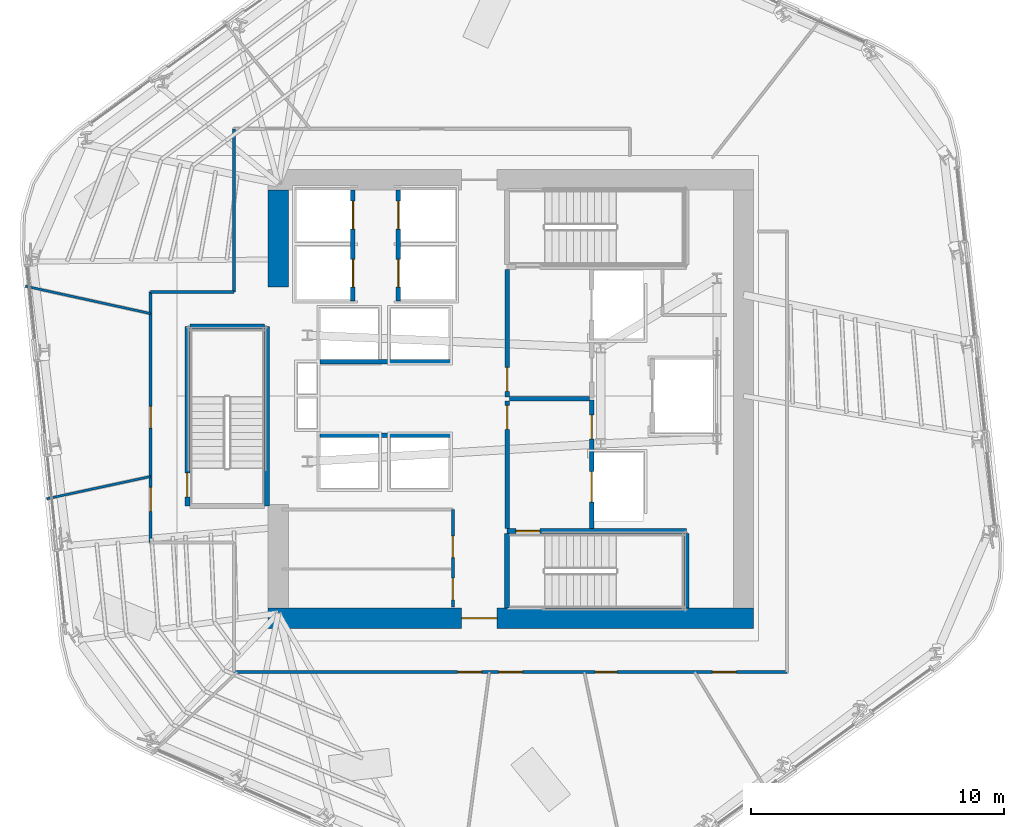
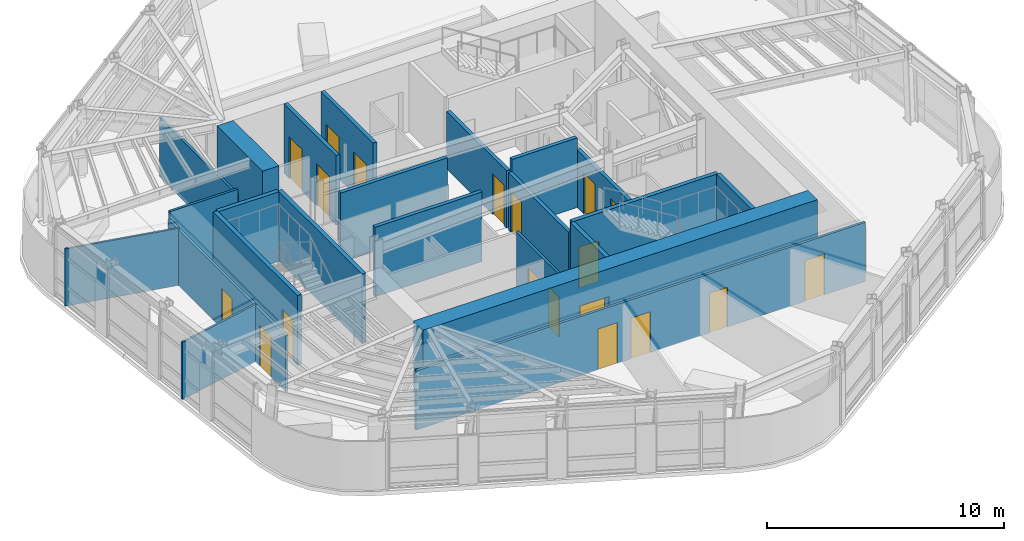
# One storey, part 8 of 14: 23 walls, 19 doors, 19 openings.
"""IFC4 building model written with IfcOpenShell, lengths in metres."""

from ifc_helpers import new_model, si_unit, direction, frame, frame_2d, origin, place, context, subcontext, project, spatial, rectangle, extrude, material, layer, layer_set, type_object, element, fill, save


model = new_model("IFC4")

# Units and contexts
model_context = context("Model", 3, precision=1e-05, world=origin(), true_north=direction((0.0, 1.0)))
body_context = subcontext(model_context, "Body", "Model", "MODEL_VIEW")
ifc_project = project(units=[si_unit("LENGTHUNIT", "METRE"), si_unit("AREAUNIT", "SQUARE_METRE"), si_unit("VOLUMEUNIT", "CUBIC_METRE"), si_unit("PLANEANGLEUNIT", "RADIAN"), si_unit("MASSUNIT", "GRAM", prefix="KILO")], contexts=[model_context])

# Site, building, storey
site_placement = place(None, origin())
site = spatial("IfcSite", under=ifc_project, at=site_placement, CompositionType="ELEMENT")
building_placement = place(site_placement, origin())
building = spatial("IfcBuilding", under=site, at=building_placement, Name="Valkerne Bourse Tower", CompositionType="ELEMENT")
storey_placement = place(building_placement, frame((0.0, 0.0, 178.0)))
storey = spatial("IfcBuildingStorey", under=building, at=storey_placement, Name="L45", CompositionType="ELEMENT", Elevation=178.0)

# Wall, opening, door
ifc_material_1 = material(Name="Concrete C55/67", Category="concrete")
ifc_layer_1 = layer(ifc_material_1, 0.800048828125)
ifc_layer_set_1 = layer_set([ifc_layer_1], Name="Concrete C55/67")
wall_type_1 = type_object("IfcWallType", Name="W-CORE-800", PredefinedType="SHEAR", material=ifc_layer_set_1)
wall_1_placement = place(storey_placement, frame((37.199951171875, 18.199951171875, 0.0), z_axis=(0.0, 0.0, 1.0), x_axis=(1.0, 0.0, 0.0)))
wall_1 = element("IfcWall", 1, at=wall_1_placement, inside=storey, type_object=wall_type_1, Name="L45 Core Shear Wall SOUTH", PredefinedType="SHEAR", context=body_context, shape_type="SweptSolid", body=[
    extrude(rectangle(XDim=19.199951171875, YDim=0.800048828125, at=frame_2d((9.60009765625, 0.0))), origin(), (0.0, 0.0, 1.0), 3.580078125),
])
opening_1_placement = place(wall_1_placement, frame((7.64990234375, 0.0, 0.0)))
opening_1 = element("IfcOpeningElement", 2, at=opening_1_placement, cuts=wall_1, Name="Opening D-PL-1400", PredefinedType="OPENING", context=body_context, shape_type="SweptSolid", body=[
    extrude(rectangle(XDim=1.39990234375, YDim=2.14990234375, at=frame_2d((0.699951171875, 1.074951171875))), frame((0.0, 0.409912109375, 0.0), z_axis=(0.0, -1.0, 0.0), x_axis=(1.0, 0.0, 0.0)), (0.0, 0.0, 1.0), 0.820068359375),
])
ifc_material_2 = material(Name="Galvanised Painted Steel", Category="steel")
door_type_1 = type_object("IfcDoorType", Name="DR-PLT-1400", OperationType="DOUBLE_DOOR_SINGLE_SWING", PredefinedType="DOOR", material=ifc_material_2)
door_1_placement = place(opening_1_placement, origin())
door_1 = element("IfcDoor", 3, at=door_1_placement, inside=storey, type_object=door_type_1, Name="L45 South Passenger Lift Hall Fire Door", OperationType="DOUBLE_DOOR_SINGLE_SWING", OverallHeight=2.14990234375, OverallWidth=1.39990234375, PredefinedType="DOOR", context=body_context, shape_type="SweptSolid", body=[
    extrude(rectangle(XDim=1.39990234375, YDim=2.14990234375, at=frame_2d((0.699951171875, 1.074951171875))), frame((0.0, 0.02490234375, 0.0), z_axis=(0.0, -1.0, 0.0), x_axis=(1.0, 0.0, 0.0)), (0.0, 0.0, 1.0), 0.050048828125),
])
fill(opening_1, door_1)

# Wall
wall_2_placement = place(storey_placement, frame((37.60009765625, 31.300048828125, 0.0), z_axis=(0.0, 0.0, 1.0), x_axis=(0.0, 1.0, 0.0)))
element("IfcWall", 4, at=wall_2_placement, inside=storey, type_object=wall_type_1, Name="L45 Core Shear Wall WEST-N", PredefinedType="SHEAR", context=body_context, shape_type="SweptSolid", body=[
    extrude(rectangle(XDim=3.849853515625, YDim=0.800048828125, at=frame_2d((1.9248046875, 0.0))), origin(), (0.0, 0.0, 1.0), 3.580078125),
])

# Wall, openings, doors
ifc_material_3 = material(Name="Gypsum Board Steel-Stud Partition", Category="steel")
ifc_layer_2 = layer(ifc_material_3, 0.117919921875)
ifc_layer_set_2 = layer_set([ifc_layer_2], Name="Gypsum Board Steel-Stud Partition")
wall_type_2 = type_object("IfcWallType", Name="W-CORR-140", PredefinedType="PARTITIONING", material=ifc_layer_set_2)
wall_3_placement = place(storey_placement, frame((44.5, 18.64990234375, 0.0), z_axis=(0.0, 0.0, 1.0), x_axis=(0.0, 1.0, 0.0)))
wall_3 = element("IfcWall", 5, at=wall_3_placement, inside=storey, type_object=wall_type_2, Name="L45 LV7 Low-Bank East Wall", PredefinedType="PARTITIONING", context=body_context, shape_type="SweptSolid", body=[
    extrude(rectangle(XDim=3.85009765625, YDim=0.117919921875, at=frame_2d((1.925048828125, 0.0))), origin(), (0.0, 0.0, 1.0), 3.280029296875),
])
opening_2_placement = place(wall_3_placement, frame((0.280029296875, 0.0, 0.0)))
opening_2 = element("IfcOpeningElement", 6, at=opening_2_placement, cuts=wall_3, Name="Opening D-WC-900", PredefinedType="OPENING", context=body_context, shape_type="SweptSolid", body=[
    extrude(rectangle(XDim=0.860107421875, YDim=2.050048828125, at=frame_2d((0.43017578125, 1.02490234375))), frame((0.0, 0.06884765625, 0.0), z_axis=(0.0, -1.0, 0.0), x_axis=(1.0, 0.0, 0.0)), (0.0, 0.0, 1.0), 0.137939453125),
])
opening_3_placement = place(wall_3_placement, frame((1.949951171875, 0.0, 0.0)))
opening_3 = element("IfcOpeningElement", 7, at=opening_3_placement, cuts=wall_3, Name="Opening D-WC-900", PredefinedType="OPENING", context=body_context, shape_type="SweptSolid", body=[
    extrude(rectangle(XDim=0.860107421875, YDim=2.050048828125, at=frame_2d((0.43017578125, 1.02490234375))), frame((0.0, 0.06884765625, 0.0), z_axis=(0.0, -1.0, 0.0), x_axis=(1.0, 0.0, 0.0)), (0.0, 0.0, 1.0), 0.137939453125),
])
ifc_material_4 = material(Name="Architectural White Oak Timber", Category="wood")
door_type_2 = type_object("IfcDoorType", Name="DR-WC-900", OperationType="NOTDEFINED", PredefinedType="DOOR", material=ifc_material_4)
door_2_placement = place(opening_2_placement, origin())
door_2 = element("IfcDoor", 8, at=door_2_placement, inside=storey, type_object=door_type_2, Name="L45 Tea Pantry Door", OperationType="SINGLE_SWING_LEFT", OverallHeight=2.050048828125, OverallWidth=0.860107421875, PredefinedType="DOOR", context=body_context, shape_type="SweptSolid", body=[
    extrude(rectangle(XDim=0.860107421875, YDim=2.050048828125, at=frame_2d((0.43017578125, 1.02490234375))), frame((0.0, 0.02490234375, 0.0), z_axis=(0.0, -1.0, 0.0), x_axis=(1.0, 0.0, 0.0)), (0.0, 0.0, 1.0), 0.050048828125),
])
fill(opening_2, door_2)
door_3_placement = place(opening_3_placement, origin())
door_3 = element("IfcDoor", 9, at=door_3_placement, inside=storey, type_object=door_type_2, Name="L45 Portfolio Risk Office Door", OperationType="SINGLE_SWING_LEFT", OverallHeight=2.050048828125, OverallWidth=0.860107421875, PredefinedType="DOOR", context=body_context, shape_type="SweptSolid", body=[
    extrude(rectangle(XDim=0.860107421875, YDim=2.050048828125, at=frame_2d((0.43017578125, 1.02490234375))), frame((0.0, 0.02490234375, 0.0), z_axis=(0.0, -1.0, 0.0), x_axis=(1.0, 0.0, 0.0)), (0.0, 0.0, 1.0), 0.050048828125),
])
fill(opening_3, door_3)

wall_4_placement = place(storey_placement, frame((32.550048828125, 21.199951171875, 0.0), z_axis=(0.0, 0.0, 1.0), x_axis=(0.0, 1.0, 0.0)))
wall_4 = element("IfcWall", 10, at=wall_4_placement, inside=storey, type_object=wall_type_2, Name="L45 Corridor Enclosure Wall", PredefinedType="PARTITIONING", context=body_context, shape_type="SweptSolid", body=[
    extrude(rectangle(XDim=9.900146484375, YDim=0.117919921875, at=frame_2d((4.9501953125, 0.0))), origin(), (0.0, 0.0, 1.0), 2.876708984375),
])
opening_4_placement = place(wall_4_placement, frame((4.52001953125, 0.0, 0.0)))
opening_4 = element("IfcOpeningElement", 11, at=opening_4_placement, cuts=wall_4, Name="Opening D-WC-900", PredefinedType="OPENING", context=body_context, shape_type="SweptSolid", body=[
    extrude(rectangle(XDim=0.860107421875, YDim=2.050048828125, at=frame_2d((0.43017578125, 1.02490234375))), frame((0.0, 0.06884765625, 0.0), z_axis=(0.0, -1.0, 0.0), x_axis=(1.0, 0.0, 0.0)), (0.0, 0.0, 1.0), 0.137939453125),
])
opening_5_placement = place(wall_4_placement, frame((1.235107421875, 0.0, 0.0)))
opening_5 = element("IfcOpeningElement", 12, at=opening_5_placement, cuts=wall_4, Name="Opening D-OF-950", PredefinedType="OPENING", context=body_context, shape_type="SweptSolid", body=[
    extrude(rectangle(XDim=0.949951171875, YDim=2.10009765625, at=frame_2d((0.47509765625, 1.050048828125))), frame((0.0, 0.06884765625, 0.0), z_axis=(0.0, -1.0, 0.0), x_axis=(1.0, 0.0, 0.0)), (0.0, 0.0, 1.0), 0.137939453125),
])
door_type_3 = type_object("IfcDoorType", Name="DR-OFF-950", OperationType="NOTDEFINED", PredefinedType="DOOR", material=ifc_material_4)
door_4_placement = place(opening_5_placement, origin())
door_4 = element("IfcDoor", 13, at=door_4_placement, inside=storey, type_object=door_type_3, Name="L45 L45 Exchange Security Control Room 4 Door", OperationType="SINGLE_SWING_RIGHT", OverallHeight=2.10009765625, OverallWidth=0.949951171875, PredefinedType="DOOR", context=body_context, shape_type="SweptSolid", body=[
    extrude(rectangle(XDim=0.949951171875, YDim=2.10009765625, at=frame_2d((0.47509765625, 1.050048828125))), frame((0.0, 0.02490234375, 0.0), z_axis=(0.0, -1.0, 0.0), x_axis=(1.0, 0.0, 0.0)), (0.0, 0.0, 1.0), 0.050048828125),
])
fill(opening_5, door_4)
door_5_placement = place(opening_4_placement, origin())
door_5 = element("IfcDoor", 14, at=door_5_placement, inside=storey, type_object=door_type_2, Name="L45 L45 Men Bathroom WC 1 Door", OperationType="SINGLE_SWING_LEFT", OverallHeight=2.050048828125, OverallWidth=0.860107421875, PredefinedType="DOOR", context=body_context, shape_type="SweptSolid", body=[
    extrude(rectangle(XDim=0.860107421875, YDim=2.050048828125, at=frame_2d((0.43017578125, 1.02490234375))), frame((0.0, 0.02490234375, 0.0), z_axis=(0.0, -1.0, 0.0), x_axis=(1.0, 0.0, 0.0)), (0.0, 0.0, 1.0), 0.050048828125),
])
fill(opening_4, door_5)

# Walls
wall_5_placement = place(storey_placement, frame((32.550048828125, 31.10009765625, 0.0), z_axis=(0.0, 0.0, 1.0), x_axis=(1.0, 0.0, 0.0)))
element("IfcWall", 15, at=wall_5_placement, inside=storey, type_object=wall_type_2, Name="L45 Corridor Enclosure Wall", PredefinedType="PARTITIONING", context=body_context, shape_type="SweptSolid", body=[
    extrude(rectangle(XDim=3.300048828125, YDim=0.117919921875, at=frame_2d((1.64990234375, 0.0))), origin(), (0.0, 0.0, 1.0), 3.280029296875),
])
wall_6_placement = place(storey_placement, frame((35.85009765625, 31.10009765625, 0.0), z_axis=(0.0, 0.0, 1.0), x_axis=(0.0, 1.0, 0.0)))
element("IfcWall", 16, at=wall_6_placement, inside=storey, type_object=wall_type_2, Name="L45 Corridor Enclosure Wall", PredefinedType="PARTITIONING", context=body_context, shape_type="SweptSolid", body=[
    extrude(rectangle(XDim=6.4599609375, YDim=0.117919921875, at=frame_2d((3.22998046875, 0.0))), origin(), (0.0, 0.0, 1.0), 3.03662109375),
])

# Wall, openings, doors
wall_7_placement = place(storey_placement, frame((57.719970703125, 16.080078125, 0.0), z_axis=(0.0, 0.0, 1.0), x_axis=(-1.0, 0.0, 0.0)))
wall_7 = element("IfcWall", 17, at=wall_7_placement, inside=storey, type_object=wall_type_2, Name="L45 Corridor Enclosure Wall", PredefinedType="PARTITIONING", context=body_context, shape_type="SweptSolid", body=[
    extrude(rectangle(XDim=21.869873046875, YDim=0.117919921875, at=frame_2d((10.93505859375, 0.0))), origin(), (0.0, 0.0, 1.0), 3.03662109375),
])
opening_6_placement = place(wall_7_placement, frame((6.72509765625, 0.0, 0.0)))
opening_6 = element("IfcOpeningElement", 18, at=opening_6_placement, cuts=wall_7, Name="Opening D-WC-900", PredefinedType="OPENING", context=body_context, shape_type="SweptSolid", body=[
    extrude(rectangle(XDim=0.860107421875, YDim=2.050048828125, at=frame_2d((0.43017578125, 1.02490234375))), frame((0.0, 0.06884765625, 0.0), z_axis=(0.0, -1.0, 0.0), x_axis=(1.0, 0.0, 0.0)), (0.0, 0.0, 1.0), 0.137939453125),
])
opening_7_placement = place(wall_7_placement, frame((10.4599609375, 0.0, 0.0)))
opening_7 = element("IfcOpeningElement", 19, at=opening_7_placement, cuts=wall_7, Name="Opening D-OF-950", PredefinedType="OPENING", context=body_context, shape_type="SweptSolid", body=[
    extrude(rectangle(XDim=0.949951171875, YDim=2.10009765625, at=frame_2d((0.47509765625, 1.050048828125))), frame((0.0, 0.06884765625, 0.0), z_axis=(0.0, -1.0, 0.0), x_axis=(1.0, 0.0, 0.0)), (0.0, 0.0, 1.0), 0.137939453125),
])
opening_8_placement = place(wall_7_placement, frame((12.080078125, 0.0, 0.0)))
opening_8 = element("IfcOpeningElement", 20, at=opening_8_placement, cuts=wall_7, Name="Opening D-OF-950", PredefinedType="OPENING", context=body_context, shape_type="SweptSolid", body=[
    extrude(rectangle(XDim=0.949951171875, YDim=2.10009765625, at=frame_2d((0.47509765625, 1.050048828125))), frame((0.0, 0.06884765625, 0.0), z_axis=(0.0, -1.0, 0.0), x_axis=(1.0, 0.0, 0.0)), (0.0, 0.0, 1.0), 0.137939453125),
])
opening_9_placement = place(wall_7_placement, frame((2.0, 0.0, 0.0)))
opening_9 = element("IfcOpeningElement", 21, at=opening_9_placement, cuts=wall_7, Name="Opening D-OF-950", PredefinedType="OPENING", context=body_context, shape_type="SweptSolid", body=[
    extrude(rectangle(XDim=0.949951171875, YDim=2.10009765625, at=frame_2d((0.47509765625, 1.050048828125))), frame((0.0, 0.06884765625, 0.0), z_axis=(0.0, -1.0, 0.0), x_axis=(1.0, 0.0, 0.0)), (0.0, 0.0, 1.0), 0.137939453125),
])
door_6_placement = place(opening_7_placement, origin())
door_6 = element("IfcDoor", 22, at=door_6_placement, inside=storey, type_object=door_type_3, Name="L45 L45 Exchange Security Control Room 3 Door", OperationType="SINGLE_SWING_RIGHT", OverallHeight=2.10009765625, OverallWidth=0.949951171875, PredefinedType="DOOR", context=body_context, shape_type="SweptSolid", body=[
    extrude(rectangle(XDim=0.949951171875, YDim=2.10009765625, at=frame_2d((0.47509765625, 1.050048828125))), frame((0.0, 0.02490234375, 0.0), z_axis=(0.0, -1.0, 0.0), x_axis=(1.0, 0.0, 0.0)), (0.0, 0.0, 1.0), 0.050048828125),
])
fill(opening_7, door_6)
door_7_placement = place(opening_8_placement, origin())
door_7 = element("IfcDoor", 23, at=door_7_placement, inside=storey, type_object=door_type_3, Name="L45 L45 Trading Desk Office 5 Door", OperationType="SINGLE_SWING_RIGHT", OverallHeight=2.10009765625, OverallWidth=0.949951171875, PredefinedType="DOOR", context=body_context, shape_type="SweptSolid", body=[
    extrude(rectangle(XDim=0.949951171875, YDim=2.10009765625, at=frame_2d((0.47509765625, 1.050048828125))), frame((0.0, 0.02490234375, 0.0), z_axis=(0.0, -1.0, 0.0), x_axis=(1.0, 0.0, 0.0)), (0.0, 0.0, 1.0), 0.050048828125),
])
fill(opening_8, door_7)
door_8_placement = place(opening_9_placement, origin())
door_8 = element("IfcDoor", 24, at=door_8_placement, inside=storey, type_object=door_type_3, Name="L45 L45 Occupational Wellness Clinic 8 Door", OperationType="SINGLE_SWING_RIGHT", OverallHeight=2.10009765625, OverallWidth=0.949951171875, PredefinedType="DOOR", context=body_context, shape_type="SweptSolid", body=[
    extrude(rectangle(XDim=0.949951171875, YDim=2.10009765625, at=frame_2d((0.47509765625, 1.050048828125))), frame((0.0, 0.02490234375, 0.0), z_axis=(0.0, -1.0, 0.0), x_axis=(1.0, 0.0, 0.0)), (0.0, 0.0, 1.0), 0.050048828125),
])
fill(opening_9, door_8)
door_9_placement = place(opening_6_placement, origin())
door_9 = element("IfcDoor", 25, at=door_9_placement, inside=storey, type_object=door_type_2, Name="L45 L45 Women Restroom & Shower WC 2 Door", OperationType="SINGLE_SWING_RIGHT", OverallHeight=2.050048828125, OverallWidth=0.860107421875, PredefinedType="DOOR", context=body_context, shape_type="SweptSolid", body=[
    extrude(rectangle(XDim=0.860107421875, YDim=2.050048828125, at=frame_2d((0.43017578125, 1.02490234375))), frame((0.0, 0.02490234375, 0.0), z_axis=(0.0, -1.0, 0.0), x_axis=(1.0, 0.0, 0.0)), (0.0, 0.0, 1.0), 0.050048828125),
])
fill(opening_6, door_9)

# Wall
ifc_material_5 = material(Name="Gypsum Fire-Rated Shaftwall", Category="gypsum")
ifc_layer_3 = layer(ifc_material_5, 0.179931640625)
ifc_layer_set_3 = layer_set([ifc_layer_3], Name="Gypsum Fire-Rated Shaftwall")
wall_type_3 = type_object("IfcWallType", Name="W-FSAE-180", PredefinedType="PARTITIONING", material=ifc_layer_set_3)
wall_8_placement = place(storey_placement, frame((46.739990234375, 26.8798828125, 0.0), z_axis=(0.0, 0.0, 1.0), x_axis=(1.0, 0.0, 0.0)))
element("IfcWall", 26, at=wall_8_placement, inside=storey, type_object=wall_type_3, Name="L45 FSAE-1/2 Lobby Dividing Fire Wall", PredefinedType="PARTITIONING", context=body_context, shape_type="SweptSolid", body=[
    extrude(rectangle(XDim=3.169921875, YDim=0.179931640625, at=frame_2d((1.5849609375, 0.0))), origin(), (0.0, 0.0, 1.0), 3.580078125),
])

# Wall, opening, door
wall_9_placement = place(storey_placement, frame((46.64990234375, 21.75, 0.0), z_axis=(0.0, 0.0, 1.0), x_axis=(0.0, 1.0, 0.0)))
wall_9 = element("IfcWall", 27, at=wall_9_placement, inside=storey, type_object=wall_type_3, Name="L45 FSAE-1 Lobby West Fire Wall", PredefinedType="PARTITIONING", context=body_context, shape_type="SweptSolid", body=[
    extrude(rectangle(XDim=5.050048828125, YDim=0.179931640625, at=frame_2d((2.52490234375, 0.0))), origin(), (0.0, 0.0, 1.0), 2.9580078125),
])
opening_10_placement = place(wall_9_placement, frame((3.919921875, 0.0, 0.0)))
opening_10 = element("IfcOpeningElement", 28, at=opening_10_placement, cuts=wall_9, Name="Opening D-FS-950", PredefinedType="OPENING", context=body_context, shape_type="SweptSolid", body=[
    extrude(rectangle(XDim=0.949951171875, YDim=2.10009765625, at=frame_2d((0.47509765625, 1.050048828125))), frame((0.0, 0.099853515625, 0.0), z_axis=(0.0, -1.0, 0.0), x_axis=(1.0, 0.0, 0.0)), (0.0, 0.0, 1.0), 0.199951171875),
])
door_type_4 = type_object("IfcDoorType", Name="DR-FSAE-950", OperationType="NOTDEFINED", PredefinedType="DOOR", material=ifc_material_2)
door_10_placement = place(opening_10_placement, origin())
door_10 = element("IfcDoor", 29, at=door_10_placement, inside=storey, type_object=door_type_4, Name="L45 FSAE-1 Hall Link Fire Door", OperationType="SINGLE_SWING_RIGHT", OverallHeight=2.10009765625, OverallWidth=0.949951171875, PredefinedType="DOOR", context=body_context, shape_type="SweptSolid", body=[
    extrude(rectangle(XDim=0.949951171875, YDim=2.10009765625, at=frame_2d((0.47509765625, 1.050048828125))), frame((0.0, 0.02490234375, 0.0), z_axis=(0.0, -1.0, 0.0), x_axis=(1.0, 0.0, 0.0)), (0.0, 0.0, 1.0), 0.050048828125),
])
fill(opening_10, door_10)

wall_10_placement = place(storey_placement, frame((46.64990234375, 26.9599609375, 0.0), z_axis=(0.0, 0.0, 1.0), x_axis=(0.0, 1.0, 0.0)))
wall_10 = element("IfcWall", 30, at=wall_10_placement, inside=storey, type_object=wall_type_3, Name="L45 FSAE-2 Lobby West Fire Wall", PredefinedType="PARTITIONING", context=body_context, shape_type="SweptSolid", body=[
    extrude(rectangle(XDim=5.0400390625, YDim=0.179931640625, at=frame_2d((2.52001953125, 0.0))), origin(), (0.0, 0.0, 1.0), 2.9580078125),
])
opening_11_placement = place(wall_10_placement, frame((0.219970703125, 0.0, 0.0)))
opening_11 = element("IfcOpeningElement", 31, at=opening_11_placement, cuts=wall_10, Name="Opening D-FS-950", PredefinedType="OPENING", context=body_context, shape_type="SweptSolid", body=[
    extrude(rectangle(XDim=0.949951171875, YDim=2.10009765625, at=frame_2d((0.47509765625, 1.050048828125))), frame((0.0, 0.099853515625, 0.0), z_axis=(0.0, -1.0, 0.0), x_axis=(1.0, 0.0, 0.0)), (0.0, 0.0, 1.0), 0.199951171875),
])
door_11_placement = place(opening_11_placement, origin())
door_11 = element("IfcDoor", 32, at=door_11_placement, inside=storey, type_object=door_type_4, Name="L45 FSAE-2 Hall Link Fire Door", OperationType="SINGLE_SWING_LEFT", OverallHeight=2.10009765625, OverallWidth=0.949951171875, PredefinedType="DOOR", context=body_context, shape_type="SweptSolid", body=[
    extrude(rectangle(XDim=0.949951171875, YDim=2.10009765625, at=frame_2d((0.47509765625, 1.050048828125))), frame((0.0, 0.02490234375, 0.0), z_axis=(0.0, -1.0, 0.0), x_axis=(1.0, 0.0, 0.0)), (0.0, 0.0, 1.0), 0.050048828125),
])
fill(opening_11, door_11)

# Wall, openings, doors
wall_11_placement = place(storey_placement, frame((50.0, 21.75, 0.0), z_axis=(0.0, 0.0, 1.0), x_axis=(0.0, 1.0, 0.0)))
wall_11 = element("IfcWall", 33, at=wall_11_placement, inside=storey, type_object=wall_type_3, Name="L45 FSAE-1 Lobby & Shaft Front Wall", PredefinedType="PARTITIONING", context=body_context, shape_type="SweptSolid", body=[
    extrude(rectangle(XDim=5.090087890625, YDim=0.179931640625, at=frame_2d((2.544921875, 0.0))), origin(), (0.0, 0.0, 1.0), 2.9580078125),
])
opening_12_placement = place(wall_11_placement, frame((1.050048828125, 0.0, 0.0)))
opening_12 = element("IfcOpeningElement", 34, at=opening_12_placement, cuts=wall_11, Name="Opening LD-1200", PredefinedType="OPENING", context=body_context, shape_type="SweptSolid", body=[
    extrude(rectangle(XDim=1.199951171875, YDim=2.14990234375, at=frame_2d((0.60009765625, 1.074951171875))), frame((0.0, 0.099853515625, 0.0), z_axis=(0.0, -1.0, 0.0), x_axis=(1.0, 0.0, 0.0)), (0.0, 0.0, 1.0), 0.199951171875),
])
opening_13_placement = place(wall_11_placement, frame((3.550048828125, 0.0, 0.0)))
opening_13 = element("IfcOpeningElement", 35, at=opening_13_placement, cuts=wall_11, Name="Opening D-FS-950", PredefinedType="OPENING", context=body_context, shape_type="SweptSolid", body=[
    extrude(rectangle(XDim=0.949951171875, YDim=2.10009765625, at=frame_2d((0.47509765625, 1.050048828125))), frame((0.0, 0.099853515625, 0.0), z_axis=(0.0, -1.0, 0.0), x_axis=(1.0, 0.0, 0.0)), (0.0, 0.0, 1.0), 0.199951171875),
])
door_12_placement = place(opening_13_placement, origin())
door_12 = element("IfcDoor", 36, at=door_12_placement, inside=storey, type_object=door_type_4, Name="L45 FSAE-1 Lobby Corridor Fire Door", OperationType="SINGLE_SWING_LEFT", OverallHeight=2.10009765625, OverallWidth=0.949951171875, PredefinedType="DOOR", context=body_context, shape_type="SweptSolid", body=[
    extrude(rectangle(XDim=0.949951171875, YDim=2.10009765625, at=frame_2d((0.47509765625, 1.050048828125))), frame((0.0, 0.02490234375, 0.0), z_axis=(0.0, -1.0, 0.0), x_axis=(1.0, 0.0, 0.0)), (0.0, 0.0, 1.0), 0.050048828125),
])
fill(opening_13, door_12)
ifc_material_6 = material(Name="Stainless Steel AISI 316", Category="steel")
door_type_5 = type_object("IfcDoorType", Name="DR-LIFT-1200", OperationType="DOUBLE_DOOR_SLIDING", PredefinedType="DOOR", material=ifc_material_6)
door_13_placement = place(opening_12_placement, origin())
door_13 = element("IfcDoor", 37, at=door_13_placement, inside=storey, type_object=door_type_5, Name="L45 FSAE-1 Firefighting Lift Landing Door", OperationType="DOUBLE_DOOR_SLIDING", OverallHeight=2.14990234375, OverallWidth=1.199951171875, PredefinedType="DOOR", context=body_context, shape_type="SweptSolid", body=[
    extrude(rectangle(XDim=1.199951171875, YDim=2.14990234375, at=frame_2d((0.60009765625, 1.074951171875))), frame((0.0, 0.02490234375, 0.0), z_axis=(0.0, -1.0, 0.0), x_axis=(1.0, 0.0, 0.0)), (0.0, 0.0, 1.0), 0.050048828125),
])
fill(opening_12, door_13)

ifc_material_7 = material(Name="CMU Blockwork Masonry 200mm", Category="masonry")
ifc_layer_4 = layer(ifc_material_7, 0.179931640625)
ifc_layer_set_4 = layer_set([ifc_layer_4], Name="CMU Blockwork Masonry 200mm")
wall_type_4 = type_object("IfcWallType", Name="W-LFT-180", PredefinedType="SOLIDWALL", material=ifc_layer_set_4)
wall_12_placement = place(storey_placement, frame((40.550048828125, 30.75, 0.0), z_axis=(0.0, 0.0, 1.0), x_axis=(0.0, 1.0, 0.0)))
wall_12 = element("IfcWall", 38, at=wall_12_placement, inside=storey, type_object=wall_type_4, Name="L45 Mid-Zone West Cars Front Wall", PredefinedType="SOLIDWALL", context=body_context, shape_type="SweptSolid", body=[
    extrude(rectangle(XDim=4.39990234375, YDim=0.179931640625, at=frame_2d((2.199951171875, 0.0))), origin(), (0.0, 0.0, 1.0), 3.580078125),
])
opening_14_placement = place(wall_12_placement, frame((0.550048828125, 0.0, 0.0)))
opening_14 = element("IfcOpeningElement", 39, at=opening_14_placement, cuts=wall_12, Name="Opening LD-1100", PredefinedType="OPENING", context=body_context, shape_type="SweptSolid", body=[
    extrude(rectangle(XDim=1.10009765625, YDim=2.14990234375, at=frame_2d((0.550048828125, 1.074951171875))), frame((0.0, 0.099853515625, 0.0), z_axis=(0.0, -1.0, 0.0), x_axis=(1.0, 0.0, 0.0)), (0.0, 0.0, 1.0), 0.199951171875),
])
opening_15_placement = place(wall_12_placement, frame((2.85009765625, 0.0, 0.0)))
opening_15 = element("IfcOpeningElement", 40, at=opening_15_placement, cuts=wall_12, Name="Opening LD-1100", PredefinedType="OPENING", context=body_context, shape_type="SweptSolid", body=[
    extrude(rectangle(XDim=1.10009765625, YDim=2.14990234375, at=frame_2d((0.550048828125, 1.074951171875))), frame((0.0, 0.099853515625, 0.0), z_axis=(0.0, -1.0, 0.0), x_axis=(1.0, 0.0, 0.0)), (0.0, 0.0, 1.0), 0.199951171875),
])
door_type_6 = type_object("IfcDoorType", Name="DR-LIFT-1100", OperationType="DOUBLE_DOOR_SLIDING", PredefinedType="DOOR", material=ifc_material_6)
door_14_placement = place(opening_14_placement, origin())
door_14 = element("IfcDoor", 41, at=door_14_placement, inside=storey, type_object=door_type_6, Name="L45 Passenger Lift PL-M1 Sliding Landing Door", OperationType="DOUBLE_DOOR_SLIDING", OverallHeight=2.14990234375, OverallWidth=1.10009765625, PredefinedType="DOOR", context=body_context, shape_type="SweptSolid", body=[
    extrude(rectangle(XDim=1.10009765625, YDim=2.14990234375, at=frame_2d((0.550048828125, 1.074951171875))), frame((0.0, 0.02490234375, 0.0), z_axis=(0.0, -1.0, 0.0), x_axis=(1.0, 0.0, 0.0)), (0.0, 0.0, 1.0), 0.050048828125),
])
fill(opening_14, door_14)
door_15_placement = place(opening_15_placement, origin())
door_15 = element("IfcDoor", 42, at=door_15_placement, inside=storey, type_object=door_type_6, Name="L45 Passenger Lift PL-M2 Sliding Landing Door", OperationType="DOUBLE_DOOR_SLIDING", OverallHeight=2.14990234375, OverallWidth=1.10009765625, PredefinedType="DOOR", context=body_context, shape_type="SweptSolid", body=[
    extrude(rectangle(XDim=1.10009765625, YDim=2.14990234375, at=frame_2d((0.550048828125, 1.074951171875))), frame((0.0, 0.02490234375, 0.0), z_axis=(0.0, -1.0, 0.0), x_axis=(1.0, 0.0, 0.0)), (0.0, 0.0, 1.0), 0.050048828125),
])
fill(opening_15, door_15)

wall_13_placement = place(storey_placement, frame((42.35009765625, 30.75, 0.0), z_axis=(0.0, 0.0, 1.0), x_axis=(0.0, 1.0, 0.0)))
wall_13 = element("IfcWall", 43, at=wall_13_placement, inside=storey, type_object=wall_type_4, Name="L45 Mid-Zone East Cars Front Wall", PredefinedType="SOLIDWALL", context=body_context, shape_type="SweptSolid", body=[
    extrude(rectangle(XDim=4.39990234375, YDim=0.179931640625, at=frame_2d((2.199951171875, 0.0))), origin(), (0.0, 0.0, 1.0), 3.580078125),
])
opening_16_placement = place(wall_13_placement, frame((0.550048828125, 0.0, 0.0)))
opening_16 = element("IfcOpeningElement", 44, at=opening_16_placement, cuts=wall_13, Name="Opening LD-1100", PredefinedType="OPENING", context=body_context, shape_type="SweptSolid", body=[
    extrude(rectangle(XDim=1.10009765625, YDim=2.14990234375, at=frame_2d((0.550048828125, 1.074951171875))), frame((0.0, 0.099853515625, 0.0), z_axis=(0.0, -1.0, 0.0), x_axis=(1.0, 0.0, 0.0)), (0.0, 0.0, 1.0), 0.199951171875),
])
opening_17_placement = place(wall_13_placement, frame((2.85009765625, 0.0, 0.0)))
opening_17 = element("IfcOpeningElement", 45, at=opening_17_placement, cuts=wall_13, Name="Opening LD-1100", PredefinedType="OPENING", context=body_context, shape_type="SweptSolid", body=[
    extrude(rectangle(XDim=1.10009765625, YDim=2.14990234375, at=frame_2d((0.550048828125, 1.074951171875))), frame((0.0, 0.099853515625, 0.0), z_axis=(0.0, -1.0, 0.0), x_axis=(1.0, 0.0, 0.0)), (0.0, 0.0, 1.0), 0.199951171875),
])
door_16_placement = place(opening_16_placement, origin())
door_16 = element("IfcDoor", 46, at=door_16_placement, inside=storey, type_object=door_type_6, Name="L45 Passenger Lift PL-M3 Sliding Landing Door", OperationType="DOUBLE_DOOR_SLIDING", OverallHeight=2.14990234375, OverallWidth=1.10009765625, PredefinedType="DOOR", context=body_context, shape_type="SweptSolid", body=[
    extrude(rectangle(XDim=1.10009765625, YDim=2.14990234375, at=frame_2d((0.550048828125, 1.074951171875))), frame((0.0, 0.02490234375, 0.0), z_axis=(0.0, -1.0, 0.0), x_axis=(1.0, 0.0, 0.0)), (0.0, 0.0, 1.0), 0.050048828125),
])
fill(opening_16, door_16)
door_17_placement = place(opening_17_placement, origin())
door_17 = element("IfcDoor", 47, at=door_17_placement, inside=storey, type_object=door_type_6, Name="L45 Passenger Lift PL-M4 Sliding Landing Door", OperationType="DOUBLE_DOOR_SLIDING", OverallHeight=2.14990234375, OverallWidth=1.10009765625, PredefinedType="DOOR", context=body_context, shape_type="SweptSolid", body=[
    extrude(rectangle(XDim=1.10009765625, YDim=2.14990234375, at=frame_2d((0.550048828125, 1.074951171875))), frame((0.0, 0.02490234375, 0.0), z_axis=(0.0, -1.0, 0.0), x_axis=(1.0, 0.0, 0.0)), (0.0, 0.0, 1.0), 0.050048828125),
])
fill(opening_17, door_17)

# Walls
for number, where, z_axis, x_axis, name in (
    (48, (39.25, 25.449951171875, 0.0), (0.0, 0.0, 1.0), (1.0, 0.0, 0.0), "L45 High-Zone South Cars Front Wall"),
    (49, (39.25, 28.35009765625, 0.0), (0.0, 0.0, 1.0), (1.0, 0.0, 0.0), "L45 High-Zone North Cars Front Wall"),
):
    element("IfcWall", number, at=place(storey_placement, frame(where, z_axis=z_axis, x_axis=x_axis)), inside=storey, type_object=wall_type_4, Name=name, PredefinedType="SOLIDWALL", context=body_context, shape_type="SweptSolid", body=[
        extrude(rectangle(XDim=5.199951171875, YDim=0.179931640625, at=frame_2d((2.60009765625, 0.0))), origin(), (0.0, 0.0, 1.0), 3.580078125),
    ])
ifc_layer_5 = layer(ifc_material_3, 0.092041015625)
ifc_layer_set_5 = layer_set([ifc_layer_5], Name="Gypsum Board Steel-Stud Partition")
wall_type_5 = type_object("IfcWallType", Name="W-PART-115", PredefinedType="PARTITIONING", material=ifc_layer_set_5)
wall_14_placement = place(storey_placement, frame((32.544921875, 30.25537109375, 0.0), z_axis=(0.0, 0.0, 1.0), x_axis=(-0.976829209546, 0.214020315341, 0.0)))
element("IfcWall", 50, at=wall_14_placement, inside=storey, type_object=wall_type_5, Name="L45 Suite Partition P06", PredefinedType="PARTITIONING", context=body_context, shape_type="SweptSolid", body=[
    extrude(rectangle(XDim=5.06494140625, YDim=0.092041015625, at=frame_2d((2.532470703125, 0.0))), origin(), (0.0, 0.0, 1.0), 2.942626953125),
])
wall_15_placement = place(storey_placement, frame((32.544921875, 23.81005859375, 0.0), z_axis=(0.0, 0.0, 1.0), x_axis=(-0.977708767366, -0.209965631033, 0.0)))
element("IfcWall", 51, at=wall_15_placement, inside=storey, type_object=wall_type_5, Name="L45 Suite Partition P07", PredefinedType="PARTITIONING", context=body_context, shape_type="SweptSolid", body=[
    extrude(rectangle(XDim=4.201171875, YDim=0.092041015625, at=frame_2d((2.1005859375, 0.0))), origin(), (0.0, 0.0, 1.0), 2.942626953125),
])

# Wall, opening, door
ifc_material_8 = material(Name="Concrete C40/50", Category="concrete")
ifc_layer_6 = layer(ifc_material_8, 0.199951171875)
ifc_layer_set_6 = layer_set([ifc_layer_6], Name="Concrete C40/50")
wall_type_6 = type_object("IfcWallType", Name="W-SHF-200", PredefinedType="SHEAR", material=ifc_layer_set_6)
wall_16_placement = place(storey_placement, frame((46.64990234375, 21.64990234375, 0.0), z_axis=(0.0, 0.0, 1.0), x_axis=(1.0, 0.0, 0.0)))
wall_16 = element("IfcWall", 52, at=wall_16_placement, inside=storey, type_object=wall_type_6, Name="L45 Exit Stair ST-1 Structural Shaft Wall North", PredefinedType="SHEAR", context=body_context, shape_type="SweptSolid", body=[
    extrude(rectangle(XDim=7.10009765625, YDim=0.199951171875, at=frame_2d((3.550048828125, 0.0))), origin(), (0.0, 0.0, 1.0), 3.580078125),
])
opening_18_placement = place(wall_16_placement, frame((0.35009765625, 0.0, 0.0)))
opening_18 = element("IfcOpeningElement", 53, at=opening_18_placement, cuts=wall_16, Name="Opening D-ST-950", PredefinedType="OPENING", context=body_context, shape_type="SweptSolid", body=[
    extrude(rectangle(XDim=0.949951171875, YDim=2.10009765625, at=frame_2d((0.47509765625, 1.050048828125))), frame((0.0, 0.10986328125, 0.0), z_axis=(0.0, -1.0, 0.0), x_axis=(1.0, 0.0, 0.0)), (0.0, 0.0, 1.0), 0.219970703125),
])
door_type_7 = type_object("IfcDoorType", Name="DR-STAIR-950", OperationType="NOTDEFINED", PredefinedType="DOOR", material=ifc_material_2)
door_18_placement = place(opening_18_placement, origin())
door_18 = element("IfcDoor", 54, at=door_18_placement, inside=storey, type_object=door_type_7, Name="L45 Exit Stair ST-1 Door", OperationType="SINGLE_SWING_RIGHT", OverallHeight=2.10009765625, OverallWidth=0.949951171875, PredefinedType="DOOR", context=body_context, shape_type="SweptSolid", body=[
    extrude(rectangle(XDim=0.949951171875, YDim=2.10009765625, at=frame_2d((0.47509765625, 1.050048828125))), frame((0.0, 0.02490234375, 0.0), z_axis=(0.0, -1.0, 0.0), x_axis=(1.0, 0.0, 0.0)), (0.0, 0.0, 1.0), 0.050048828125),
])
fill(opening_18, door_18)

# Walls
for number, where, z_axis, x_axis, name in (
    (55, (46.64990234375, 18.60009765625, 0.0), (0.0, 0.0, 1.0), (0.0, 1.0, 0.0), "L45 Exit Stair ST-1 Structural Shaft Wall West"),
    (56, (53.75, 18.60009765625, 0.0), (0.0, 0.0, 1.0), (0.0, 1.0, 0.0), "L45 Exit Stair ST-1 Structural Shaft Wall East"),
):
    element("IfcWall", number, at=place(storey_placement, frame(where, z_axis=z_axis, x_axis=x_axis)), inside=storey, type_object=wall_type_6, Name=name, PredefinedType="SHEAR", context=body_context, shape_type="SweptSolid", body=[
        extrude(rectangle(XDim=2.949951171875, YDim=0.199951171875, at=frame_2d((1.47509765625, 0.0))), origin(), (0.0, 0.0, 1.0), 3.580078125),
    ])

# Wall, opening, door
wall_17_placement = place(storey_placement, frame((34.0, 22.64990234375, 0.0), z_axis=(0.0, 0.0, 1.0), x_axis=(0.0, 1.0, 0.0)))
wall_17 = element("IfcWall", 57, at=wall_17_placement, inside=storey, type_object=wall_type_6, Name="L45 Exit Stair ST-3 Structural Shaft Wall West", PredefinedType="SHEAR", context=body_context, shape_type="SweptSolid", body=[
    extrude(rectangle(XDim=7.10009765625, YDim=0.199951171875, at=frame_2d((3.550048828125, 0.0))), origin(), (0.0, 0.0, 1.0), 3.580078125),
])
opening_19_placement = place(wall_17_placement, frame((0.35009765625, 0.0, 0.0)))
opening_19 = element("IfcOpeningElement", 58, at=opening_19_placement, cuts=wall_17, Name="Opening D-ST-950", PredefinedType="OPENING", context=body_context, shape_type="SweptSolid", body=[
    extrude(rectangle(XDim=0.949951171875, YDim=2.10009765625, at=frame_2d((0.47509765625, 1.050048828125))), frame((0.0, 0.10986328125, 0.0), z_axis=(0.0, -1.0, 0.0), x_axis=(1.0, 0.0, 0.0)), (0.0, 0.0, 1.0), 0.219970703125),
])
door_19_placement = place(opening_19_placement, origin())
door_19 = element("IfcDoor", 59, at=door_19_placement, inside=storey, type_object=door_type_7, Name="L45 Exit Stair ST-3 Door", OperationType="SINGLE_SWING_RIGHT", OverallHeight=2.10009765625, OverallWidth=0.949951171875, PredefinedType="DOOR", context=body_context, shape_type="SweptSolid", body=[
    extrude(rectangle(XDim=0.949951171875, YDim=2.10009765625, at=frame_2d((0.47509765625, 1.050048828125))), frame((0.0, 0.02490234375, 0.0), z_axis=(0.0, -1.0, 0.0), x_axis=(1.0, 0.0, 0.0)), (0.0, 0.0, 1.0), 0.050048828125),
])
fill(opening_19, door_19)

# Walls
wall_18_placement = place(storey_placement, frame((34.10009765625, 29.75, 0.0), z_axis=(0.0, 0.0, 1.0), x_axis=(1.0, 0.0, 0.0)))
element("IfcWall", 60, at=wall_18_placement, inside=storey, type_object=wall_type_6, Name="L45 Exit Stair ST-3 Structural Shaft Wall North", PredefinedType="SHEAR", context=body_context, shape_type="SweptSolid", body=[
    extrude(rectangle(XDim=2.949951171875, YDim=0.199951171875, at=frame_2d((1.47509765625, 0.0))), origin(), (0.0, 0.0, 1.0), 3.580078125),
])
wall_19_placement = place(storey_placement, frame((37.14990234375, 22.64990234375, 0.0), z_axis=(0.0, 0.0, 1.0), x_axis=(0.0, 1.0, 0.0)))
element("IfcWall", 61, at=wall_19_placement, inside=storey, type_object=wall_type_6, Name="L45 Exit Stair ST-3 Structural Shaft Wall East", PredefinedType="SHEAR", context=body_context, shape_type="SweptSolid", body=[
    extrude(rectangle(XDim=7.10009765625, YDim=0.199951171875, at=frame_2d((3.550048828125, 0.0))), origin(), (0.0, 0.0, 1.0), 3.580078125),
])

save(model, "model.ifc")
